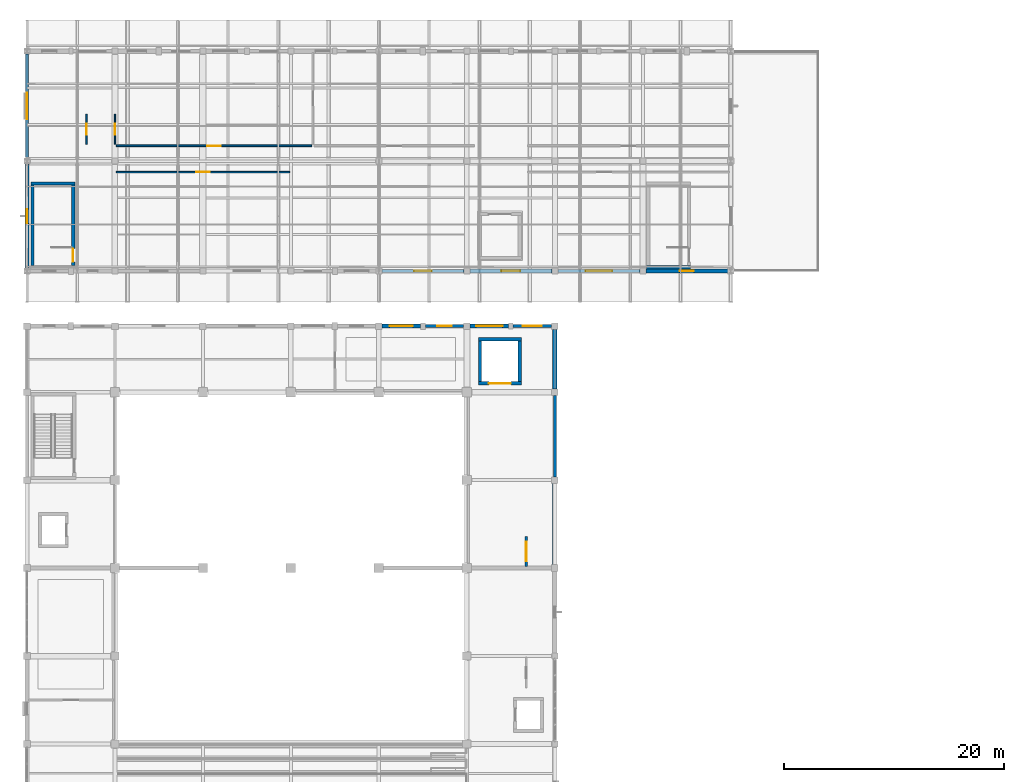
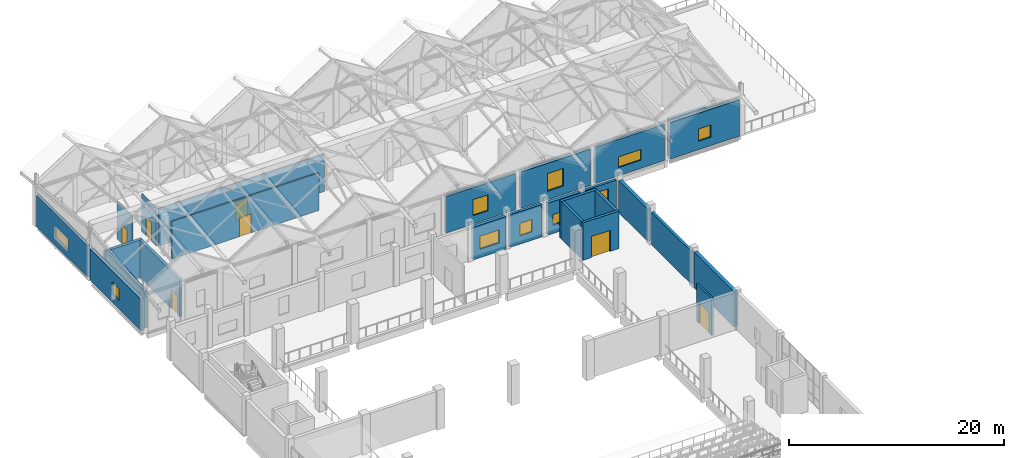
# One storey, part 144 of 183: 26 walls, 10 windows, 7 doors, 17 openings.
"""IFC4 building model written with IfcOpenShell, lengths in metres."""

import ifcopenshell
import ifcopenshell.guid

model = None  # the IFC model being written
_history = None  # IfcOwnerHistory: only IFC2X3 demands one
_inside = {}  # id of a spatial element -> (the spatial element, [elements in it])
_under = {}  # id of a project, library or spatial element -> (it, [spatial elements below it])
_declared = {}  # id of a project -> (the project, [libraries it declares])
_typed = {}  # id of a type object -> (the type object, [elements of that type])
_made_of = {}  # id of a material, layer set ... -> (it, [elements and type objects made of it])


def new_model(schema):
    """Start an empty IFC model of exactly this schema.

    Asked for "IFC4X3", IfcOpenShell would pick the latest addendum, in which some entities
    have other attributes; the version numbers below select the first issue.
    IFC2X3 requires an IfcOwnerHistory on every rooted entity: one is made here for all.
    """
    global model, _history
    if schema == "IFC4X3":
        model = ifcopenshell.file(schema_version=(4, 3, 0, 0))
    else:
        model = ifcopenshell.file(schema=schema)
    _inside.clear()
    _under.clear()
    _declared.clear()
    _typed.clear()
    _made_of.clear()
    _history = None
    if model.schema == "IFC2X3":
        org = make("IfcOrganization", Name="unknown")
        user = make(
            "IfcPersonAndOrganization",
            ThePerson=make("IfcPerson", FamilyName="unknown"),
            TheOrganization=org,
        )
        app = make(
            "IfcApplication",
            ApplicationDeveloper=org,
            Version="unknown",
            ApplicationFullName="unknown",
            ApplicationIdentifier="unknown",
        )
        _history = make(
            "IfcOwnerHistory",
            OwningUser=user,
            OwningApplication=app,
            ChangeAction="ADDED",
            CreationDate=0,
        )
    return model


def make(cls, **values):
    """One entity of the class cls with the attributes given. An attribute that is None is left unset."""
    return model.create_entity(
        cls, **{name: value for name, value in values.items() if value is not None}
    )


def rooted(cls, **values):
    """An entity with a GlobalId (a new one), such as an element, a storey or a relation."""
    return make(cls, GlobalId=ifcopenshell.guid.new(), OwnerHistory=_history, **values)


def si_unit(unit_type, name, prefix=None):
    """IfcSIUnit, for example si_unit("LENGTHUNIT", "METRE", prefix="MILLI")."""
    return make("IfcSIUnit", UnitType=unit_type, Prefix=prefix, Name=name)


def assignment(units):
    """IfcUnitAssignment: the units of a project."""
    return None if units is None else make("IfcUnitAssignment", Units=units)


def point(xyz):
    """IfcCartesianPoint."""
    return None if xyz is None else make("IfcCartesianPoint", Coordinates=xyz)


def direction(xyz):
    """IfcDirection."""
    return None if xyz is None else make("IfcDirection", DirectionRatios=xyz)


def frame(location, z_axis=None, x_axis=None):
    """IfcAxis2Placement3D, a coordinate frame: its origin and axes. An axis left out is left unset."""
    return make(
        "IfcAxis2Placement3D",
        Location=point(location),
        Axis=direction(z_axis),
        RefDirection=direction(x_axis),
    )


def frame_2d(location, x_axis=None):
    """IfcAxis2Placement2D, a coordinate frame in the plane: its origin and x axis."""
    return make(
        "IfcAxis2Placement2D", Location=point(location), RefDirection=direction(x_axis)
    )


def origin():
    """The frame at (0, 0, 0) with its axes left unset."""
    return frame((0.0, 0.0, 0.0))


def place(relative_to, where):
    """IfcLocalPlacement: puts the frame where relative to a parent placement (None: the world)."""
    return make(
        "IfcLocalPlacement", PlacementRelTo=relative_to, RelativePlacement=where
    )


def context(
    kind, dimensions, precision=None, world=None, true_north=None, identifier=None
):
    """IfcGeometricRepresentationContext, for example the 3D "Model" context."""
    return make(
        "IfcGeometricRepresentationContext",
        ContextIdentifier=identifier,
        ContextType=kind,
        CoordinateSpaceDimension=dimensions,
        Precision=precision,
        WorldCoordinateSystem=world,
        TrueNorth=true_north,
    )


def subcontext(parent, identifier, kind, view, scale=None):
    """IfcGeometricRepresentationSubContext, for example "Body" below "Model"."""
    return make(
        "IfcGeometricRepresentationSubContext",
        ContextIdentifier=identifier,
        ContextType=kind,
        ParentContext=parent,
        TargetScale=scale,
        TargetView=view,
    )


def project(units=None, contexts=None):
    """IfcProject with its units and contexts."""
    return rooted(
        "IfcProject",
        Name="project",
        RepresentationContexts=contexts,
        UnitsInContext=assignment(units),
    )


def spatial(cls, under=None, at=None, **own):
    """A site, building, storey or space (cls), placed at a placement, below another one or the project."""
    s = rooted(cls, ObjectPlacement=at, **own)
    if under is not None:
        _under.setdefault(under.id(), (under, []))[1].append(s)
    return s


def profile(cls, at=None, kind="AREA", **sizes):
    """A parametric profile (cls). Its sizes go by their IFC names, for example OverallWidth=200.0."""
    return make(cls, ProfileType=kind, Position=at, **sizes)


def rectangle(**sizes):
    """IfcRectangleProfileDef."""
    return profile("IfcRectangleProfileDef", **sizes)


def extrude(swept, where, along, depth):
    """IfcExtrudedAreaSolid: the profile swept, set in the frame where, extruded along a direction by depth."""
    return make(
        "IfcExtrudedAreaSolid",
        SweptArea=swept,
        Position=where,
        ExtrudedDirection=direction(along),
        Depth=depth,
    )


def shape(context_of_items, identifier, shape_type, items):
    """IfcShapeRepresentation: the items that make up one representation, for example the "Body"."""
    return make(
        "IfcShapeRepresentation",
        ContextOfItems=context_of_items,
        RepresentationIdentifier=identifier,
        RepresentationType=shape_type,
        Items=items,
    )


def material(Name=None, Category=None):
    """IfcMaterial."""
    return make("IfcMaterial", Name=Name, Category=Category)


def layer(
    of_material, thickness, ventilated=None, Name=None, Category=None, Priority=None
):
    """IfcMaterialLayer: one layer of a wall or slab, of a material (None: an air gap)."""
    return make(
        "IfcMaterialLayer",
        Material=of_material,
        LayerThickness=thickness,
        IsVentilated=ventilated,
        Name=Name,
        Category=Category,
        Priority=Priority,
    )


def layer_set(layers, Name=None):
    """IfcMaterialLayerSet."""
    return make("IfcMaterialLayerSet", MaterialLayers=layers, LayerSetName=Name)


def made_of(thing, what):
    """Note that an element or type object is made of a material, layer set ...; save() writes the relation."""
    if what is not None:
        _made_of.setdefault(what.id(), (what, []))[1].append(thing)
    return thing


def type_object(cls, material=None, **own):
    """A type object (cls), such as IfcWallType, which elements share."""
    return made_of(rooted(cls, **own), material)


def element(
    cls,
    number,
    at=None,
    inside=None,
    cuts=None,
    type_object=None,
    material=None,
    context=None,
    identifier="Body",
    shape_type=None,
    held_by="IfcProductDefinitionShape",
    body=None,
    shapes=None,
    **own,
):
    """One element of the class cls, such as IfcWall. Its Tag is "e" and its number.

    at: its placement. inside: the storey or other place that contains it. cuts: it is an
    opening in that element (IfcRelVoidsElement). A single representation is given by context,
    identifier, shape_type and body (its items); several are given by shapes. held_by: the class
    of the entity that holds the representations. save() writes the other relations.
    """
    e = rooted(cls, Tag="e%d" % number, ObjectPlacement=at, **own)
    if body is not None:
        shapes = [shape(context, identifier, shape_type, body)]
    if shapes is not None:
        e.Representation = make(held_by, Representations=shapes)
    if inside is not None:
        _inside.setdefault(inside.id(), (inside, []))[1].append(e)
    if cuts is not None:
        rooted(
            "IfcRelVoidsElement", RelatingBuildingElement=cuts, RelatedOpeningElement=e
        )
    if type_object is not None:
        _typed.setdefault(type_object.id(), (type_object, []))[1].append(e)
    return made_of(e, material)


def fill(opening, filler):
    """IfcRelFillsElement: the door or window that sits in an opening."""
    return rooted(
        "IfcRelFillsElement",
        RelatingOpeningElement=opening,
        RelatedBuildingElement=filler,
    )


def aggregate(whole, parts):
    """IfcRelAggregates: a whole, such as a stair, and the parts it consists of."""
    return rooted("IfcRelAggregates", RelatingObject=whole, RelatedObjects=parts)


def save(model, path):
    """Write the relations noted so far, then the file.

    IfcRelAggregates (storeys below a building ...), IfcRelContainedInSpatialStructure (elements
    in a storey), IfcRelDefinesByType, IfcRelAssociatesMaterial and IfcRelDeclares: one each for
    every whole, place, type object, material and project.
    """
    for whole, parts in _under.values():
        aggregate(whole, parts)
    for where, things in _inside.values():
        rooted(
            "IfcRelContainedInSpatialStructure",
            RelatedElements=things,
            RelatingStructure=where,
        )
    for kind, things in _typed.values():
        rooted("IfcRelDefinesByType", RelatedObjects=things, RelatingType=kind)
    for what, things in _made_of.values():
        rooted("IfcRelAssociatesMaterial", RelatedObjects=things, RelatingMaterial=what)
    for by, libraries in _declared.values():
        rooted("IfcRelDeclares", RelatingContext=by, RelatedDefinitions=libraries)
    model.write(path)


model = new_model("IFC4")

# Units and contexts
model_context = context("Model", 3, precision=1e-05, world=origin(), true_north=direction((0.0, 1.0)))
body_context = subcontext(model_context, "Body", "Model", "MODEL_VIEW")
ifc_project = project(units=[si_unit("LENGTHUNIT", "METRE"), si_unit("AREAUNIT", "SQUARE_METRE"), si_unit("VOLUMEUNIT", "CUBIC_METRE"), si_unit("PLANEANGLEUNIT", "RADIAN"), si_unit("MASSUNIT", "GRAM", prefix="KILO")], contexts=[model_context])

# Site, building, storey
site_placement = place(None, origin())
site = spatial("IfcSite", under=ifc_project, at=site_placement, CompositionType="ELEMENT")
building_placement = place(site_placement, origin())
building = spatial("IfcBuilding", under=site, at=building_placement, Name="Luwemba Playhouse", CompositionType="ELEMENT")
storey_placement = place(building_placement, frame((0.0, 0.0, 4.800048828125)))
storey = spatial("IfcBuildingStorey", under=building, at=storey_placement, Name="L01", CompositionType="ELEMENT", Elevation=4.800048828125)

# Wall, opening, window
ifc_material_1 = material(Name="Clay facing brick obra vista masonry", Category="masonry")
ifc_layer_1 = layer(ifc_material_1, 0.3798828125)
ifc_layer_set_1 = layer_set([ifc_layer_1], Name="Clay facing brick obra vista masonry")
wall_type_1 = type_object("IfcWallType", Name="WAL-BRK-380", PredefinedType="SOLIDWALL", material=ifc_layer_set_1)
wall_1_placement = place(storey_placement, frame((36.300048828125, 90.0, 0.0), z_axis=(0.0, 0.0, 1.0), x_axis=(1.0, 0.0, 0.0)))
wall_1 = element("IfcWall", 1, at=wall_1_placement, inside=storey, type_object=wall_type_1, Name="L01 V2 exterior facade wall 0155", PredefinedType="SOLIDWALL", context=body_context, shape_type="SweptSolid", body=[
    extrude(rectangle(XDim=3.474853515625, YDim=0.3798828125, at=frame_2d((1.7373046875, 0.0))), origin(), (0.0, 0.0, 1.0), 3.68505859375),
])
opening_1_placement = place(wall_1_placement, frame((0.6875, 0.0, 0.949951171875)))
opening_1 = element("IfcOpeningElement", 2, at=opening_1_placement, cuts=wall_1, Name="Opening WN-11", PredefinedType="OPENING", context=body_context, shape_type="SweptSolid", body=[
    extrude(rectangle(XDim=2.10009765625, YDim=1.5, at=frame_2d((1.050048828125, 0.75))), frame((0.0, 0.199951171875, 0.0), z_axis=(0.0, -1.0, 0.0), x_axis=(1.0, 0.0, 0.0)), (0.0, 0.0, 1.0), 0.39990234375),
])
ifc_material_2 = material(Name="Solar-control double glazing in aluminium frame", Category="aluminium")
window_type_1 = type_object("IfcWindowType", Name="WIN-WN-11", PartitioningType="TRIPLE_PANEL_VERTICAL", PredefinedType="WINDOW", material=ifc_material_2)
window_1_placement = place(opening_1_placement, origin())
window_1 = element("IfcWindow", 3, at=window_1_placement, inside=storey, type_object=window_type_1, Name="L01 V2 scheduled window 0107", OverallHeight=1.5, OverallWidth=2.10009765625, PartitioningType="TRIPLE_PANEL_VERTICAL", PredefinedType="WINDOW", context=body_context, shape_type="SweptSolid", body=[
    extrude(rectangle(XDim=2.10009765625, YDim=1.5, at=frame_2d((1.050048828125, 0.75))), frame((0.0, 0.030029296875, 0.0), z_axis=(0.0, -1.0, 0.0), x_axis=(1.0, 0.0, 0.0)), (0.0, 0.0, 1.0), 0.06005859375),
])
fill(opening_1, window_1)

wall_2_placement = place(storey_placement, frame((44.300048828125, 90.0, 0.0), z_axis=(0.0, 0.0, 1.0), x_axis=(1.0, 0.0, 0.0)))
wall_2 = element("IfcWall", 4, at=wall_2_placement, inside=storey, type_object=wall_type_1, Name="L01 V2 exterior facade wall 0157", PredefinedType="SOLIDWALL", context=body_context, shape_type="SweptSolid", body=[
    extrude(rectangle(XDim=3.5, YDim=0.3798828125, at=frame_2d((1.75, 0.0))), origin(), (0.0, 0.0, 1.0), 3.635009765625),
])
opening_2_placement = place(wall_2_placement, frame((0.550048828125, 0.0, 0.949951171875)))
opening_2 = element("IfcOpeningElement", 5, at=opening_2_placement, cuts=wall_2, Name="Opening WN-17", PredefinedType="OPENING", context=body_context, shape_type="SweptSolid", body=[
    extrude(rectangle(XDim=2.39990234375, YDim=1.199951171875, at=frame_2d((1.199951171875, 0.60009765625))), frame((0.0, 0.199951171875, 0.0), z_axis=(0.0, -1.0, 0.0), x_axis=(1.0, 0.0, 0.0)), (0.0, 0.0, 1.0), 0.39990234375),
])
window_type_2 = type_object("IfcWindowType", Name="WIN-WN-17", PartitioningType="TRIPLE_PANEL_HORIZONTAL", PredefinedType="WINDOW", material=ifc_material_2)
window_2_placement = place(opening_2_placement, origin())
window_2 = element("IfcWindow", 6, at=window_2_placement, inside=storey, type_object=window_type_2, Name="L01 V2 scheduled window 0109", OverallHeight=1.199951171875, OverallWidth=2.39990234375, PartitioningType="TRIPLE_PANEL_HORIZONTAL", PredefinedType="WINDOW", context=body_context, shape_type="SweptSolid", body=[
    extrude(rectangle(XDim=2.39990234375, YDim=1.199951171875, at=frame_2d((1.199951171875, 0.60009765625))), frame((0.0, 0.030029296875, 0.0), z_axis=(0.0, -1.0, 0.0), x_axis=(1.0, 0.0, 0.0)), (0.0, 0.0, 1.0), 0.06005859375),
])
fill(opening_2, window_2)

# Walls
wall_3_placement = place(storey_placement, frame((52.0, 89.699951171875, 0.0), z_axis=(0.0, 0.0, 1.0), x_axis=(0.0, -1.0, 0.0)))
element("IfcWall", 7, at=wall_3_placement, inside=storey, type_object=wall_type_1, Name="L01 V2 exterior facade wall 0159", PredefinedType="SOLIDWALL", context=body_context, shape_type="SweptSolid", body=[
    extrude(rectangle(XDim=5.39990234375, YDim=0.3798828125, at=frame_2d((2.699951171875, 0.0))), origin(), (0.0, 0.0, 1.0), 3.635009765625),
])
wall_4_placement = place(storey_placement, frame((52.0, 75.699951171875, 0.0), z_axis=(0.0, 0.0, 1.0), x_axis=(0.0, -1.0, 0.0)))
element("IfcWall", 8, at=wall_4_placement, inside=storey, type_object=wall_type_1, Name="L01 V2 exterior facade wall 0161", PredefinedType="SOLIDWALL", context=body_context, shape_type="SweptSolid", body=[
    extrude(rectangle(XDim=7.39990234375, YDim=0.3798828125, at=frame_2d((3.699951171875, 0.0))), origin(), (0.0, 0.0, 1.0), 4.034912109375),
])

# Wall, opening, window
wall_5_placement = place(storey_placement, frame((4.0, 95.27490234375, 0.0), z_axis=(0.0, 0.0, 1.0), x_axis=(0.0, 1.0, 0.0)))
wall_5 = element("IfcWall", 9, at=wall_5_placement, inside=storey, type_object=wall_type_1, Name="L01 V6W exterior facade wall 0204", PredefinedType="SOLIDWALL", context=body_context, shape_type="SweptSolid", body=[
    extrude(rectangle(XDim=9.4501953125, YDim=0.3798828125, at=frame_2d((4.72509765625, 0.0))), origin(), (0.0, 0.0, 1.0), 3.5849609375),
])
opening_3_placement = place(wall_5_placement, frame((4.074951171875, 0.0, 0.949951171875)))
opening_3 = element("IfcOpeningElement", 10, at=opening_3_placement, cuts=wall_5, Name="Opening WN-14", PredefinedType="OPENING", context=body_context, shape_type="SweptSolid", body=[
    extrude(rectangle(XDim=1.300048828125, YDim=1.39990234375, at=frame_2d((0.64990234375, 0.699951171875))), frame((0.0, 0.199951171875, 0.0), z_axis=(0.0, -1.0, 0.0), x_axis=(1.0, 0.0, 0.0)), (0.0, 0.0, 1.0), 0.39990234375),
])
window_type_3 = type_object("IfcWindowType", Name="WIN-WN-14", PartitioningType="SINGLE_PANEL", PredefinedType="WINDOW", material=ifc_material_2)
window_3_placement = place(opening_3_placement, origin())
window_3 = element("IfcWindow", 11, at=window_3_placement, inside=storey, type_object=window_type_3, Name="L01 V6W scheduled window 0152", OverallHeight=1.39990234375, OverallWidth=1.300048828125, PartitioningType="SINGLE_PANEL", PredefinedType="WINDOW", context=body_context, shape_type="SweptSolid", body=[
    extrude(rectangle(XDim=1.300048828125, YDim=1.39990234375, at=frame_2d((0.64990234375, 0.699951171875))), frame((0.0, 0.030029296875, 0.0), z_axis=(0.0, -1.0, 0.0), x_axis=(1.0, 0.0, 0.0)), (0.0, 0.0, 1.0), 0.06005859375),
])
fill(opening_3, window_3)

wall_6_placement = place(storey_placement, frame((67.72509765625, 95.0, 0.0), z_axis=(0.0, 0.0, 1.0), x_axis=(-1.0, 0.0, 0.0)))
wall_6 = element("IfcWall", 12, at=wall_6_placement, inside=storey, type_object=wall_type_1, Name="L01 V6W exterior facade wall 0224", PredefinedType="SOLIDWALL", context=body_context, shape_type="SweptSolid", body=[
    extrude(rectangle(XDim=7.4501953125, YDim=0.3798828125, at=frame_2d((3.72509765625, 0.0))), origin(), (0.0, 0.0, 1.0), 4.125),
])
opening_4_placement = place(wall_6_placement, frame((3.074951171875, 0.0, 0.949951171875)))
opening_4 = element("IfcOpeningElement", 13, at=opening_4_placement, cuts=wall_6, Name="Opening WN-14", PredefinedType="OPENING", context=body_context, shape_type="SweptSolid", body=[
    extrude(rectangle(XDim=1.300048828125, YDim=1.39990234375, at=frame_2d((0.64990234375, 0.699951171875))), frame((0.0, 0.199951171875, 0.0), z_axis=(0.0, -1.0, 0.0), x_axis=(1.0, 0.0, 0.0)), (0.0, 0.0, 1.0), 0.39990234375),
])
window_4_placement = place(opening_4_placement, origin())
window_4 = element("IfcWindow", 14, at=window_4_placement, inside=storey, type_object=window_type_3, Name="L01 V6W scheduled window 0171", OverallHeight=1.39990234375, OverallWidth=1.300048828125, PartitioningType="SINGLE_PANEL", PredefinedType="WINDOW", context=body_context, shape_type="SweptSolid", body=[
    extrude(rectangle(XDim=1.300048828125, YDim=1.39990234375, at=frame_2d((0.64990234375, 0.699951171875))), frame((0.0, 0.030029296875, 0.0), z_axis=(0.0, -1.0, 0.0), x_axis=(1.0, 0.0, 0.0)), (0.0, 0.0, 1.0), 0.06005859375),
])
fill(opening_4, window_4)

wall_7_placement = place(storey_placement, frame((51.72509765625, 95.0, 0.0), z_axis=(0.0, 0.0, 1.0), x_axis=(-1.0, 0.0, 0.0)))
wall_7 = element("IfcWall", 15, at=wall_7_placement, inside=storey, type_object=wall_type_1, Name="L01 V6W exterior facade wall 0226", PredefinedType="SOLIDWALL", context=body_context, shape_type="SweptSolid", body=[
    extrude(rectangle(XDim=7.4501953125, YDim=0.3798828125, at=frame_2d((3.72509765625, 0.0))), origin(), (0.0, 0.0, 1.0), 4.125),
])
opening_5_placement = place(wall_7_placement, frame((2.875, 0.0, 0.949951171875)))
opening_5 = element("IfcOpeningElement", 16, at=opening_5_placement, cuts=wall_7, Name="Opening WN-20", PredefinedType="OPENING", context=body_context, shape_type="SweptSolid", body=[
    extrude(rectangle(XDim=1.699951171875, YDim=2.0, at=frame_2d((0.85009765625, 1.0))), frame((0.0, 0.199951171875, 0.0), z_axis=(0.0, -1.0, 0.0), x_axis=(1.0, 0.0, 0.0)), (0.0, 0.0, 1.0), 0.39990234375),
])
window_type_4 = type_object("IfcWindowType", Name="WIN-WN-20", PartitioningType="DOUBLE_PANEL_VERTICAL", PredefinedType="WINDOW", material=ifc_material_2)
window_5_placement = place(opening_5_placement, origin())
window_5 = element("IfcWindow", 17, at=window_5_placement, inside=storey, type_object=window_type_4, Name="L01 V6W scheduled window 0173", OverallHeight=2.0, OverallWidth=1.699951171875, PartitioningType="DOUBLE_PANEL_VERTICAL", PredefinedType="WINDOW", context=body_context, shape_type="SweptSolid", body=[
    extrude(rectangle(XDim=1.699951171875, YDim=2.0, at=frame_2d((0.85009765625, 1.0))), frame((0.0, 0.030029296875, 0.0), z_axis=(0.0, -1.0, 0.0), x_axis=(1.0, 0.0, 0.0)), (0.0, 0.0, 1.0), 0.06005859375),
])
fill(opening_5, window_5)

# Walls
ifc_material_3 = material(Name="Concrete C40/50", Category="concrete")
ifc_layer_2 = layer(ifc_material_3, 0.300048828125)
ifc_layer_set_2 = layer_set([ifc_layer_2], Name="Concrete C40/50")
wall_type_2 = type_object("IfcWallType", Name="WAL-CORE-300", PredefinedType="SHEAR", material=ifc_layer_set_2)
wall_8_placement = place(storey_placement, frame((8.35009765625, 102.969970703125, 0.0), z_axis=(0.0, 0.0, 1.0), x_axis=(-1.0, 0.0, 0.0)))
element("IfcWall", 18, at=wall_8_placement, inside=storey, type_object=wall_type_2, Name="L01 ST-08 stair core wall N", PredefinedType="SHEAR", context=body_context, shape_type="SweptSolid", body=[
    extrude(rectangle(XDim=4.0, YDim=0.300048828125, at=frame_2d((2.0, 0.0))), origin(), (0.0, 0.0, 1.0), 4.25),
])
wall_9_placement = place(storey_placement, frame((4.5, 95.5, 0.0), z_axis=(0.0, 0.0, 1.0), x_axis=(0.0, 1.0, 0.0)))
element("IfcWall", 19, at=wall_9_placement, inside=storey, type_object=wall_type_2, Name="L01 ST-08 stair core wall W", PredefinedType="SHEAR", context=body_context, shape_type="SweptSolid", body=[
    extrude(rectangle(XDim=7.320068359375, YDim=0.300048828125, at=frame_2d((3.66015625, 0.0))), origin(), (0.0, 0.0, 1.0), 4.25),
])

# Wall, opening, door
wall_10_placement = place(storey_placement, frame((8.199951171875, 95.5, 0.0), z_axis=(0.0, 0.0, 1.0), x_axis=(0.0, 1.0, 0.0)))
wall_10 = element("IfcWall", 20, at=wall_10_placement, inside=storey, type_object=wall_type_2, Name="L01 ST-08 stair core wall E", PredefinedType="SHEAR", context=body_context, shape_type="SweptSolid", body=[
    extrude(rectangle(XDim=7.320068359375, YDim=0.300048828125, at=frame_2d((3.66015625, 0.0))), origin(), (0.0, 0.0, 1.0), 4.25),
])
opening_6_placement = place(wall_10_placement, frame((0.35009765625, 0.0, 0.0)))
opening_6 = element("IfcOpeningElement", 21, at=opening_6_placement, cuts=wall_10, Name="Opening D-STAIR3", PredefinedType="OPENING", context=body_context, shape_type="SweptSolid", body=[
    extrude(rectangle(XDim=1.199951171875, YDim=2.14990234375, at=frame_2d((0.60009765625, 1.074951171875))), frame((0.0, 0.159912109375, 0.0), z_axis=(0.0, -1.0, 0.0), x_axis=(1.0, 0.0, 0.0)), (0.0, 0.0, 1.0), 0.320068359375),
])
ifc_material_4 = material(Name="Hardwood acoustic fire door leaf", Category="wood")
door_type_1 = type_object("IfcDoorType", Name="DR-STAIR-120", OperationType="NOTDEFINED", PredefinedType="DOOR", material=ifc_material_4)
door_1_placement = place(opening_6_placement, origin())
door_1 = element("IfcDoor", 22, at=door_1_placement, inside=storey, type_object=door_type_1, Name="L01 ST-08 protected stair entry door", OperationType="SINGLE_SWING_LEFT", OverallHeight=2.14990234375, OverallWidth=1.199951171875, PredefinedType="DOOR", context=body_context, shape_type="SweptSolid", body=[
    extrude(rectangle(XDim=1.199951171875, YDim=2.14990234375, at=frame_2d((0.60009765625, 1.074951171875))), frame((0.0, 0.02490234375, 0.0), z_axis=(0.0, -1.0, 0.0), x_axis=(1.0, 0.0, 0.0)), (0.0, 0.0, 1.0), 0.050048828125),
])
fill(opening_6, door_1)

# Wall
wall_11_placement = place(storey_placement, frame((60.35009765625, 95.35009765625, 0.0), z_axis=(0.0, 0.0, 1.0), x_axis=(1.0, 0.0, 0.0)))
element("IfcWall", 23, at=wall_11_placement, inside=storey, type_object=wall_type_2, Name="L01 ST-15 stair core wall S", PredefinedType="SHEAR", context=body_context, shape_type="SweptSolid", body=[
    extrude(rectangle(XDim=4.0, YDim=0.300048828125, at=frame_2d((2.0, 0.0))), origin(), (0.0, 0.0, 1.0), 4.25),
])

# Wall, opening, door
wall_12_placement = place(storey_placement, frame((45.050048828125, 84.800048828125, 0.0), z_axis=(0.0, 0.0, 1.0), x_axis=(1.0, 0.0, 0.0)))
wall_12 = element("IfcWall", 24, at=wall_12_placement, inside=storey, type_object=wall_type_2, Name="L01 Lift LF-G1 shaft wall S", PredefinedType="SHEAR", context=body_context, shape_type="SweptSolid", body=[
    extrude(rectangle(XDim=3.89990234375, YDim=0.300048828125, at=frame_2d((1.949951171875, 0.0))), origin(), (0.0, 0.0, 1.0), 4.25),
])
opening_7_placement = place(wall_12_placement, frame((0.949951171875, 0.0, 0.0)))
opening_7 = element("IfcOpeningElement", 25, at=opening_7_placement, cuts=wall_12, Name="Opening LD-02", PredefinedType="OPENING", context=body_context, shape_type="SweptSolid", body=[
    extrude(rectangle(XDim=2.0, YDim=2.39990234375, at=frame_2d((1.0, 1.199951171875))), frame((0.0, 0.159912109375, 0.0), z_axis=(0.0, -1.0, 0.0), x_axis=(1.0, 0.0, 0.0)), (0.0, 0.0, 1.0), 0.320068359375),
])
ifc_material_5 = material(Name="Heavy steel goods lift landing doors", Category="steel")
door_type_2 = type_object("IfcDoorType", Name="DR-LIFT-200", OperationType="NOTDEFINED", PredefinedType="DOOR", material=ifc_material_5)
door_2_placement = place(opening_7_placement, origin())
door_2 = element("IfcDoor", 26, at=door_2_placement, inside=storey, type_object=door_type_2, Name="L01 Lift LF-G1 landing door", OperationType="DOUBLE_DOOR_SLIDING", OverallHeight=2.39990234375, OverallWidth=2.0, PredefinedType="DOOR", context=body_context, shape_type="SweptSolid", body=[
    extrude(rectangle(XDim=2.0, YDim=2.39990234375, at=frame_2d((1.0, 1.199951171875))), frame((0.0, 0.02490234375, 0.0), z_axis=(0.0, -1.0, 0.0), x_axis=(1.0, 0.0, 0.0)), (0.0, 0.0, 1.0), 0.050048828125),
])
fill(opening_7, door_2)

# Walls
wall_13_placement = place(storey_placement, frame((48.949951171875, 88.800048828125, 0.0), z_axis=(0.0, 0.0, 1.0), x_axis=(-1.0, 0.0, 0.0)))
element("IfcWall", 27, at=wall_13_placement, inside=storey, type_object=wall_type_2, Name="L01 Lift LF-G1 shaft wall N", PredefinedType="SHEAR", context=body_context, shape_type="SweptSolid", body=[
    extrude(rectangle(XDim=3.89990234375, YDim=0.300048828125, at=frame_2d((1.949951171875, 0.0))), origin(), (0.0, 0.0, 1.0), 4.25),
])
for number, where, z_axis, x_axis, name in (
    (28, (45.199951171875, 84.949951171875, 0.0), (0.0, 0.0, 1.0), (0.0, 1.0, 0.0), "L01 Lift LF-G1 shaft wall W"),
    (29, (48.800048828125, 88.64990234375, 0.0), (0.0, 0.0, 1.0), (0.0, -1.0, 0.0), "L01 Lift LF-G1 shaft wall E"),
):
    element("IfcWall", number, at=place(storey_placement, frame(where, z_axis=z_axis, x_axis=x_axis)), inside=storey, type_object=wall_type_2, Name=name, PredefinedType="SHEAR", context=body_context, shape_type="SweptSolid", body=[
        extrude(rectangle(XDim=3.699951171875, YDim=0.300048828125, at=frame_2d((1.85009765625, 0.0))), origin(), (0.0, 0.0, 1.0), 4.25),
    ])

# Wall, opening, door
ifc_material_6 = material(Name="Moisture-resistant sanitary partition", Category="gypsum")
ifc_layer_3 = layer(ifc_material_6, 0.1201171875)
ifc_layer_set_3 = layer_set([ifc_layer_3], Name="Moisture-resistant sanitary partition")
wall_type_3 = type_object("IfcWallType", Name="WAL-INT-120", PredefinedType="PARTITIONING", material=ifc_layer_set_3)
wall_14_placement = place(storey_placement, frame((12.0, 106.52001953125, 0.0), z_axis=(0.0, 0.0, 1.0), x_axis=(0.0, 1.0, 0.0)))
wall_14 = element("IfcWall", 30, at=wall_14_placement, inside=storey, type_object=wall_type_3, Name="L01 V6W interior partition 0159", PredefinedType="PARTITIONING", context=body_context, shape_type="SweptSolid", body=[
    extrude(rectangle(XDim=2.760009765625, YDim=0.1201171875, at=frame_2d((1.3798828125, 0.0))), origin(), (0.0, 0.0, 1.0), 4.25),
])
opening_8_placement = place(wall_14_placement, frame((0.8798828125, 0.0, 0.0)))
opening_8 = element("IfcOpeningElement", 31, at=opening_8_placement, cuts=wall_14, Name="Opening D-AWC", PredefinedType="OPENING", context=body_context, shape_type="SweptSolid", body=[
    extrude(rectangle(XDim=1.0, YDim=2.10009765625, at=frame_2d((0.5, 1.050048828125))), frame((0.0, 0.070068359375, 0.0), z_axis=(0.0, -1.0, 0.0), x_axis=(1.0, 0.0, 0.0)), (0.0, 0.0, 1.0), 0.14013671875),
])
ifc_material_7 = material(Name="Accessible WC outward-assisted timber door", Category="wood")
door_type_3 = type_object("IfcDoorType", Name="DR-AWC-100", OperationType="NOTDEFINED", PredefinedType="DOOR", material=ifc_material_7)
door_3_placement = place(opening_8_placement, origin())
door_3 = element("IfcDoor", 32, at=door_3_placement, inside=storey, type_object=door_type_3, Name="L01 Chorus Female Dressing Suite to Dressing Floor Accessible WC door", OperationType="SINGLE_SWING_RIGHT", OverallHeight=2.10009765625, OverallWidth=1.0, PredefinedType="DOOR", context=body_context, shape_type="SweptSolid", body=[
    extrude(rectangle(XDim=1.0, YDim=2.10009765625, at=frame_2d((0.5, 1.050048828125))), frame((0.0, 0.02490234375, 0.0), z_axis=(0.0, -1.0, 0.0), x_axis=(1.0, 0.0, 0.0)), (0.0, 0.0, 1.0), 0.050048828125),
])
fill(opening_8, door_3)

wall_15_placement = place(storey_placement, frame((9.39990234375, 106.52001953125, 0.0), z_axis=(0.0, 0.0, 1.0), x_axis=(0.0, 1.0, 0.0)))
wall_15 = element("IfcWall", 33, at=wall_15_placement, inside=storey, type_object=wall_type_3, Name="L01 V6W interior partition 0163", PredefinedType="PARTITIONING", context=body_context, shape_type="SweptSolid", body=[
    extrude(rectangle(XDim=2.760009765625, YDim=0.1201171875, at=frame_2d((1.3798828125, 0.0))), origin(), (0.0, 0.0, 1.0), 4.25),
])
opening_9_placement = place(wall_15_placement, frame((0.8798828125, 0.0, 0.0)))
opening_9 = element("IfcOpeningElement", 34, at=opening_9_placement, cuts=wall_15, Name="Opening D-AWC", PredefinedType="OPENING", context=body_context, shape_type="SweptSolid", body=[
    extrude(rectangle(XDim=1.0, YDim=2.10009765625, at=frame_2d((0.5, 1.050048828125))), frame((0.0, 0.070068359375, 0.0), z_axis=(0.0, -1.0, 0.0), x_axis=(1.0, 0.0, 0.0)), (0.0, 0.0, 1.0), 0.14013671875),
])
door_4_placement = place(opening_9_placement, origin())
door_4 = element("IfcDoor", 35, at=door_4_placement, inside=storey, type_object=door_type_3, Name="L01 Dressing Floor Showers and Toilets to Dressing Floor Accessible WC door", OperationType="SINGLE_SWING_RIGHT", OverallHeight=2.10009765625, OverallWidth=1.0, PredefinedType="DOOR", context=body_context, shape_type="SweptSolid", body=[
    extrude(rectangle(XDim=1.0, YDim=2.10009765625, at=frame_2d((0.5, 1.050048828125))), frame((0.0, 0.02490234375, 0.0), z_axis=(0.0, -1.0, 0.0), x_axis=(1.0, 0.0, 0.0)), (0.0, 0.0, 1.0), 0.050048828125),
])
fill(opening_9, door_4)

ifc_material_8 = material(Name="Acoustic gypsum stud partition", Category="gypsum")
ifc_layer_4 = layer(ifc_material_8, 0.14990234375)
ifc_layer_set_4 = layer_set([ifc_layer_4], Name="Acoustic gypsum stud partition")
wall_type_4 = type_object("IfcWallType", Name="WAL-INT-150", PredefinedType="PARTITIONING", material=ifc_layer_set_4)
wall_16_placement = place(storey_placement, frame((12.1201171875, 104.0, 0.0), z_axis=(0.0, 0.0, 1.0), x_axis=(1.0, 0.0, 0.0)))
wall_16 = element("IfcWall", 36, at=wall_16_placement, inside=storey, type_object=wall_type_4, Name="L01 V6W interior partition 0156", PredefinedType="PARTITIONING", context=body_context, shape_type="SweptSolid", body=[
    extrude(rectangle(XDim=15.759765625, YDim=0.14990234375, at=frame_2d((7.8798828125, 0.0))), origin(), (0.0, 0.0, 1.0), 4.25),
])
opening_10_placement = place(wall_16_placement, frame((7.2548828125, 0.0, 0.0)))
opening_10 = element("IfcOpeningElement", 37, at=opening_10_placement, cuts=wall_16, Name="Opening D-IN1", PredefinedType="OPENING", context=body_context, shape_type="SweptSolid", body=[
    extrude(rectangle(XDim=1.25, YDim=2.14990234375, at=frame_2d((0.625, 1.074951171875))), frame((0.0, 0.0849609375, 0.0), z_axis=(0.0, -1.0, 0.0), x_axis=(1.0, 0.0, 0.0)), (0.0, 0.0, 1.0), 0.169921875),
])
ifc_material_9 = material(Name="Solid hardwood interior door", Category="wood")
door_type_4 = type_object("IfcDoorType", Name="DR-INT-125", OperationType="NOTDEFINED", PredefinedType="DOOR", material=ifc_material_9)
door_5_placement = place(opening_10_placement, origin())
door_5 = element("IfcDoor", 38, at=door_5_placement, inside=storey, type_object=door_type_4, Name="L01 Principal Artists Dressing Suites to Backstage Dressing Corridor door", OperationType="SINGLE_SWING_LEFT", OverallHeight=2.14990234375, OverallWidth=1.25, PredefinedType="DOOR", context=body_context, shape_type="SweptSolid", body=[
    extrude(rectangle(XDim=1.25, YDim=2.14990234375, at=frame_2d((0.625, 1.074951171875))), frame((0.0, 0.02490234375, 0.0), z_axis=(0.0, -1.0, 0.0), x_axis=(1.0, 0.0, 0.0)), (0.0, 0.0, 1.0), 0.050048828125),
])
fill(opening_10, door_5)

wall_17_placement = place(storey_placement, frame((12.1201171875, 106.39990234375, 0.0), z_axis=(0.0, 0.0, 1.0), x_axis=(1.0, 0.0, 0.0)))
wall_17 = element("IfcWall", 39, at=wall_17_placement, inside=storey, type_object=wall_type_4, Name="L01 V6W interior partition 0158", PredefinedType="PARTITIONING", context=body_context, shape_type="SweptSolid", body=[
    extrude(rectangle(XDim=17.759765625, YDim=0.14990234375, at=frame_2d((8.8798828125, 0.0))), origin(), (0.0, 0.0, 1.0), 4.25),
])
opening_11_placement = place(wall_17_placement, frame((8.2548828125, 0.0, 0.0)))
opening_11 = element("IfcOpeningElement", 40, at=opening_11_placement, cuts=wall_17, Name="Opening D-IN1", PredefinedType="OPENING", context=body_context, shape_type="SweptSolid", body=[
    extrude(rectangle(XDim=1.25, YDim=2.14990234375, at=frame_2d((0.625, 1.074951171875))), frame((0.0, 0.0849609375, 0.0), z_axis=(0.0, -1.0, 0.0), x_axis=(1.0, 0.0, 0.0)), (0.0, 0.0, 1.0), 0.169921875),
])
door_6_placement = place(opening_11_placement, origin())
door_6 = element("IfcDoor", 41, at=door_6_placement, inside=storey, type_object=door_type_4, Name="L01 Chorus Female Dressing Suite to Backstage Dressing Corridor door", OperationType="SINGLE_SWING_LEFT", OverallHeight=2.14990234375, OverallWidth=1.25, PredefinedType="DOOR", context=body_context, shape_type="SweptSolid", body=[
    extrude(rectangle(XDim=1.25, YDim=2.14990234375, at=frame_2d((0.625, 1.074951171875))), frame((0.0, 0.02490234375, 0.0), z_axis=(0.0, -1.0, 0.0), x_axis=(1.0, 0.0, 0.0)), (0.0, 0.0, 1.0), 0.050048828125),
])
fill(opening_11, door_6)

ifc_material_10 = material(Name="Clay acoustic masonry blockwork", Category="masonry")
ifc_layer_5 = layer(ifc_material_10, 0.199951171875)
ifc_layer_set_5 = layer_set([ifc_layer_5], Name="Clay acoustic masonry blockwork")
wall_type_5 = type_object("IfcWallType", Name="WAL-INT-200", PredefinedType="PARTITIONING", material=ifc_layer_set_5)
wall_18_placement = place(storey_placement, frame((49.39990234375, 68.1201171875, 0.0), z_axis=(0.0, 0.0, 1.0), x_axis=(0.0, 1.0, 0.0)))
wall_18 = element("IfcWall", 42, at=wall_18_placement, inside=storey, type_object=wall_type_5, Name="L01 V2 interior partition 0124", PredefinedType="PARTITIONING", context=body_context, shape_type="SweptSolid", body=[
    extrude(rectangle(XDim=2.759765625, YDim=0.199951171875, at=frame_2d((1.3798828125, 0.0))), origin(), (0.0, 0.0, 1.0), 4.25),
])
opening_12_placement = place(wall_18_placement, frame((0.47998046875, 0.0, 0.0)))
opening_12 = element("IfcOpeningElement", 43, at=opening_12_placement, cuts=wall_18, Name="Opening D-AUD1", PredefinedType="OPENING", context=body_context, shape_type="SweptSolid", body=[
    extrude(rectangle(XDim=1.800048828125, YDim=2.35009765625, at=frame_2d((0.89990234375, 1.175048828125))), frame((0.0, 0.10986328125, 0.0), z_axis=(0.0, -1.0, 0.0), x_axis=(1.0, 0.0, 0.0)), (0.0, 0.0, 1.0), 0.219970703125),
])
ifc_material_11 = material(Name="Double acoustic timber theatre door", Category="wood")
door_type_5 = type_object("IfcDoorType", Name="DR-AUD-180", OperationType="NOTDEFINED", PredefinedType="DOOR", material=ifc_material_11)
door_7_placement = place(opening_12_placement, origin())
door_7 = element("IfcDoor", 44, at=door_7_placement, inside=storey, type_object=door_type_5, Name="L01 Stage Prompt Audio Gallery to Fly Gallery Accessible WC door", OperationType="DOUBLE_DOOR_SINGLE_SWING", OverallHeight=2.35009765625, OverallWidth=1.800048828125, PredefinedType="DOOR", context=body_context, shape_type="SweptSolid", body=[
    extrude(rectangle(XDim=1.800048828125, YDim=2.35009765625, at=frame_2d((0.89990234375, 1.175048828125))), frame((0.0, 0.02490234375, 0.0), z_axis=(0.0, -1.0, 0.0), x_axis=(1.0, 0.0, 0.0)), (0.0, 0.0, 1.0), 0.050048828125),
])
fill(opening_12, door_7)

# Wall, opening, window
ifc_material_12 = material(Name="Structural timber GL24h infill", Category="wood")
ifc_layer_6 = layer(ifc_material_12, 0.280029296875)
ifc_layer_set_6 = layer_set([ifc_layer_6], Name="Structural timber GL24h infill")
wall_type_6 = type_object("IfcWallType", Name="WAL-TIM-280", PredefinedType="SOLIDWALL", material=ifc_layer_set_6)
wall_19_placement = place(storey_placement, frame((40.22509765625, 90.0, 0.0), z_axis=(0.0, 0.0, 1.0), x_axis=(1.0, 0.0, 0.0)))
wall_19 = element("IfcWall", 45, at=wall_19_placement, inside=storey, type_object=wall_type_6, Name="L01 V2 exterior facade wall 0156", PredefinedType="SOLIDWALL", context=body_context, shape_type="SweptSolid", body=[
    extrude(rectangle(XDim=3.474853515625, YDim=0.280029296875, at=frame_2d((1.7373046875, 0.0))), origin(), (0.0, 0.0, 1.0), 3.68505859375),
])
opening_13_placement = place(wall_19_placement, frame((1.08740234375, 0.0, 0.949951171875)))
opening_13 = element("IfcOpeningElement", 46, at=opening_13_placement, cuts=wall_19, Name="Opening WN-14", PredefinedType="OPENING", context=body_context, shape_type="SweptSolid", body=[
    extrude(rectangle(XDim=1.300048828125, YDim=1.39990234375, at=frame_2d((0.64990234375, 0.699951171875))), frame((0.0, 0.14990234375, 0.0), z_axis=(0.0, -1.0, 0.0), x_axis=(1.0, 0.0, 0.0)), (0.0, 0.0, 1.0), 0.300048828125),
])
window_6_placement = place(opening_13_placement, origin())
window_6 = element("IfcWindow", 47, at=window_6_placement, inside=storey, type_object=window_type_3, Name="L01 V2 scheduled window 0108", OverallHeight=1.39990234375, OverallWidth=1.300048828125, PartitioningType="SINGLE_PANEL", PredefinedType="WINDOW", context=body_context, shape_type="SweptSolid", body=[
    extrude(rectangle(XDim=1.300048828125, YDim=1.39990234375, at=frame_2d((0.64990234375, 0.699951171875))), frame((0.0, 0.030029296875, 0.0), z_axis=(0.0, -1.0, 0.0), x_axis=(1.0, 0.0, 0.0)), (0.0, 0.0, 1.0), 0.06005859375),
])
fill(opening_13, window_6)

wall_20_placement = place(storey_placement, frame((48.199951171875, 90.0, 0.0), z_axis=(0.0, 0.0, 1.0), x_axis=(1.0, 0.0, 0.0)))
wall_20 = element("IfcWall", 48, at=wall_20_placement, inside=storey, type_object=wall_type_6, Name="L01 V2 exterior facade wall 0158", PredefinedType="SOLIDWALL", context=body_context, shape_type="SweptSolid", body=[
    extrude(rectangle(XDim=3.5, YDim=0.280029296875, at=frame_2d((1.75, 0.0))), origin(), (0.0, 0.0, 1.0), 3.635009765625),
])
opening_14_placement = place(wall_20_placement, frame((0.89990234375, 0.0, 0.949951171875)))
opening_14 = element("IfcOpeningElement", 49, at=opening_14_placement, cuts=wall_20, Name="Opening WN-20", PredefinedType="OPENING", context=body_context, shape_type="SweptSolid", body=[
    extrude(rectangle(XDim=1.699951171875, YDim=2.0, at=frame_2d((0.85009765625, 1.0))), frame((0.0, 0.14990234375, 0.0), z_axis=(0.0, -1.0, 0.0), x_axis=(1.0, 0.0, 0.0)), (0.0, 0.0, 1.0), 0.300048828125),
])
window_7_placement = place(opening_14_placement, origin())
window_7 = element("IfcWindow", 50, at=window_7_placement, inside=storey, type_object=window_type_4, Name="L01 V2 scheduled window 0110", OverallHeight=2.0, OverallWidth=1.699951171875, PartitioningType="DOUBLE_PANEL_VERTICAL", PredefinedType="WINDOW", context=body_context, shape_type="SweptSolid", body=[
    extrude(rectangle(XDim=1.699951171875, YDim=2.0, at=frame_2d((0.85009765625, 1.0))), frame((0.0, 0.030029296875, 0.0), z_axis=(0.0, -1.0, 0.0), x_axis=(1.0, 0.0, 0.0)), (0.0, 0.0, 1.0), 0.06005859375),
])
fill(opening_14, window_7)

# Wall
wall_21_placement = place(storey_placement, frame((52.0, 83.699951171875, 0.0), z_axis=(0.0, 0.0, 1.0), x_axis=(0.0, -1.0, 0.0)))
element("IfcWall", 51, at=wall_21_placement, inside=storey, type_object=wall_type_6, Name="L01 V2 exterior facade wall 0160", PredefinedType="SOLIDWALL", context=body_context, shape_type="SweptSolid", body=[
    extrude(rectangle(XDim=7.39990234375, YDim=0.280029296875, at=frame_2d((3.699951171875, 0.0))), origin(), (0.0, 0.0, 1.0), 3.68505859375),
])

# Wall, opening, window
wall_22_placement = place(storey_placement, frame((4.0, 105.27490234375, 0.0), z_axis=(0.0, 0.0, 1.0), x_axis=(0.0, 1.0, 0.0)))
wall_22 = element("IfcWall", 52, at=wall_22_placement, inside=storey, type_object=wall_type_6, Name="L01 V6W exterior facade wall 0205", PredefinedType="SOLIDWALL", context=body_context, shape_type="SweptSolid", body=[
    extrude(rectangle(XDim=9.4501953125, YDim=0.280029296875, at=frame_2d((4.72509765625, 0.0))), origin(), (0.0, 0.0, 1.0), 3.5849609375),
])
opening_15_placement = place(wall_22_placement, frame((3.52490234375, 0.0, 0.949951171875)))
opening_15 = element("IfcOpeningElement", 53, at=opening_15_placement, cuts=wall_22, Name="Opening WN-17", PredefinedType="OPENING", context=body_context, shape_type="SweptSolid", body=[
    extrude(rectangle(XDim=2.39990234375, YDim=1.199951171875, at=frame_2d((1.199951171875, 0.60009765625))), frame((0.0, 0.14990234375, 0.0), z_axis=(0.0, -1.0, 0.0), x_axis=(1.0, 0.0, 0.0)), (0.0, 0.0, 1.0), 0.300048828125),
])
window_8_placement = place(opening_15_placement, origin())
window_8 = element("IfcWindow", 54, at=window_8_placement, inside=storey, type_object=window_type_2, Name="L01 V6W scheduled window 0153", OverallHeight=1.199951171875, OverallWidth=2.39990234375, PartitioningType="TRIPLE_PANEL_HORIZONTAL", PredefinedType="WINDOW", context=body_context, shape_type="SweptSolid", body=[
    extrude(rectangle(XDim=2.39990234375, YDim=1.199951171875, at=frame_2d((1.199951171875, 0.60009765625))), frame((0.0, 0.030029296875, 0.0), z_axis=(0.0, -1.0, 0.0), x_axis=(1.0, 0.0, 0.0)), (0.0, 0.0, 1.0), 0.06005859375),
])
fill(opening_15, window_8)

wall_23_placement = place(storey_placement, frame((59.72509765625, 95.0, 0.0), z_axis=(0.0, 0.0, 1.0), x_axis=(-1.0, 0.0, 0.0)))
wall_23 = element("IfcWall", 55, at=wall_23_placement, inside=storey, type_object=wall_type_6, Name="L01 V6W exterior facade wall 0225", PredefinedType="SOLIDWALL", context=body_context, shape_type="SweptSolid", body=[
    extrude(rectangle(XDim=7.4501953125, YDim=0.280029296875, at=frame_2d((3.72509765625, 0.0))), origin(), (0.0, 0.0, 1.0), 4.125),
])
opening_16_placement = place(wall_23_placement, frame((2.52490234375, 0.0, 0.949951171875)))
opening_16 = element("IfcOpeningElement", 56, at=opening_16_placement, cuts=wall_23, Name="Opening WN-17", PredefinedType="OPENING", context=body_context, shape_type="SweptSolid", body=[
    extrude(rectangle(XDim=2.39990234375, YDim=1.199951171875, at=frame_2d((1.199951171875, 0.60009765625))), frame((0.0, 0.14990234375, 0.0), z_axis=(0.0, -1.0, 0.0), x_axis=(1.0, 0.0, 0.0)), (0.0, 0.0, 1.0), 0.300048828125),
])
window_9_placement = place(opening_16_placement, origin())
window_9 = element("IfcWindow", 57, at=window_9_placement, inside=storey, type_object=window_type_2, Name="L01 V6W scheduled window 0172", OverallHeight=1.199951171875, OverallWidth=2.39990234375, PartitioningType="TRIPLE_PANEL_HORIZONTAL", PredefinedType="WINDOW", context=body_context, shape_type="SweptSolid", body=[
    extrude(rectangle(XDim=2.39990234375, YDim=1.199951171875, at=frame_2d((1.199951171875, 0.60009765625))), frame((0.0, 0.030029296875, 0.0), z_axis=(0.0, -1.0, 0.0), x_axis=(1.0, 0.0, 0.0)), (0.0, 0.0, 1.0), 0.06005859375),
])
fill(opening_16, window_9)

wall_24_placement = place(storey_placement, frame((43.72509765625, 95.0, 0.0), z_axis=(0.0, 0.0, 1.0), x_axis=(-1.0, 0.0, 0.0)))
wall_24 = element("IfcWall", 58, at=wall_24_placement, inside=storey, type_object=wall_type_6, Name="L01 V6W exterior facade wall 0227", PredefinedType="SOLIDWALL", context=body_context, shape_type="SweptSolid", body=[
    extrude(rectangle(XDim=7.4501953125, YDim=0.280029296875, at=frame_2d((3.72509765625, 0.0))), origin(), (0.0, 0.0, 1.0), 4.125),
])
opening_17_placement = place(wall_24_placement, frame((2.925048828125, 0.0, 0.949951171875)))
opening_17 = element("IfcOpeningElement", 59, at=opening_17_placement, cuts=wall_24, Name="Opening WN-03", PredefinedType="OPENING", context=body_context, shape_type="SweptSolid", body=[
    extrude(rectangle(XDim=1.60009765625, YDim=1.800048828125, at=frame_2d((0.800048828125, 0.89990234375))), frame((0.0, 0.14990234375, 0.0), z_axis=(0.0, -1.0, 0.0), x_axis=(1.0, 0.0, 0.0)), (0.0, 0.0, 1.0), 0.300048828125),
])
window_type_5 = type_object("IfcWindowType", Name="WIN-WN-03", PartitioningType="DOUBLE_PANEL_VERTICAL", PredefinedType="WINDOW", material=ifc_material_2)
window_10_placement = place(opening_17_placement, origin())
window_10 = element("IfcWindow", 60, at=window_10_placement, inside=storey, type_object=window_type_5, Name="L01 V6W scheduled window 0174", OverallHeight=1.800048828125, OverallWidth=1.60009765625, PartitioningType="DOUBLE_PANEL_VERTICAL", PredefinedType="WINDOW", context=body_context, shape_type="SweptSolid", body=[
    extrude(rectangle(XDim=1.60009765625, YDim=1.800048828125, at=frame_2d((0.800048828125, 0.89990234375))), frame((0.0, 0.030029296875, 0.0), z_axis=(0.0, -1.0, 0.0), x_axis=(1.0, 0.0, 0.0)), (0.0, 0.0, 1.0), 0.06005859375),
])
fill(opening_17, window_10)

save(model, "model.ifc")
